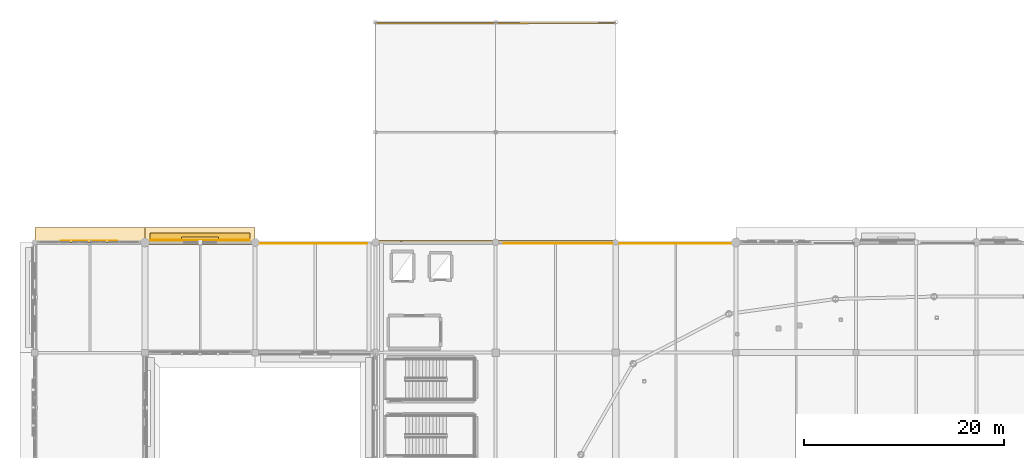
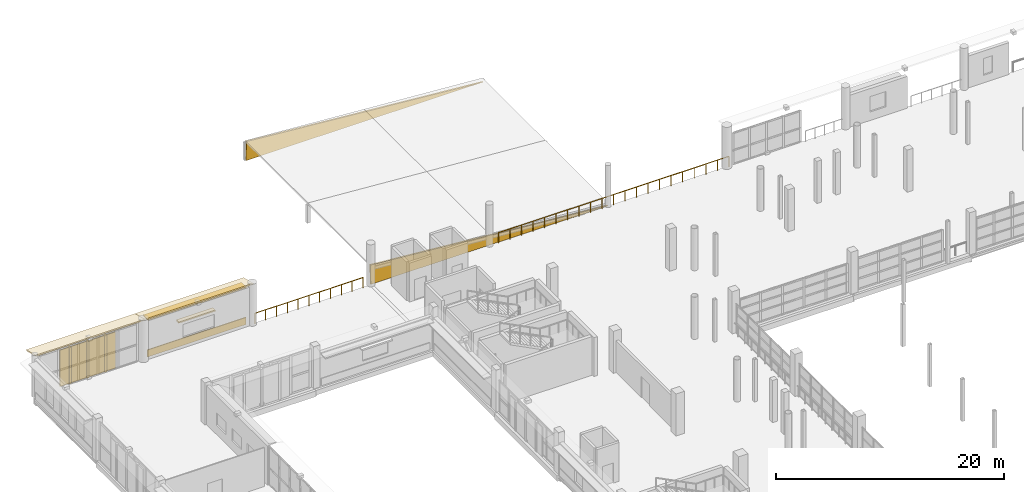
# One storey, part 106 of 118: 9 coverings, 2 railings, 2 shading devices.
"""IFC4 building model written with IfcOpenShell, lengths in metres."""

from ifc_helpers import new_model, si_unit, direction, frame, origin, origin_2d, place, context, subcontext, project, spatial, polyline, rectangle, circle, outline, extrude, material, layer, layer_set, type_object, element, save


model = new_model("IFC4")

# Units and contexts
model_context = context("Model", 3, precision=1e-05, world=origin(), true_north=direction((0.0, 1.0)))
body_context = subcontext(model_context, "Body", "Model", "MODEL_VIEW")
ifc_project = project(units=[si_unit("LENGTHUNIT", "METRE"), si_unit("AREAUNIT", "SQUARE_METRE"), si_unit("VOLUMEUNIT", "CUBIC_METRE"), si_unit("PLANEANGLEUNIT", "RADIAN"), si_unit("MASSUNIT", "GRAM", prefix="KILO")], contexts=[model_context])

# Site, building, storey
site_placement = place(None, origin())
site = spatial("IfcSite", under=ifc_project, at=site_placement, CompositionType="ELEMENT")
building_placement = place(site_placement, origin())
building = spatial("IfcBuilding", under=site, at=building_placement, Name="Luwafu Chhajja Arena", CompositionType="ELEMENT")
storey_placement = place(building_placement, frame((0.0, 0.0, 10.199951171875)))
storey = spatial("IfcBuildingStorey", under=building, at=storey_placement, Name="L02", CompositionType="ELEMENT", Elevation=10.199951171875)

# Coverings
ifc_material_1 = material(Name="Red laterite sandstone cladding", Category="masonry")
ifc_layer_1 = layer(ifc_material_1, 0.074951171875, Name="Red laterite sandstone cladding")
ifc_layer_set_1 = layer_set([ifc_layer_1], Name="Red laterite sandstone cladding")
covering_type = type_object("IfcCoveringType", Name="Dressed Red-Laterite Sandstone Cladding", PredefinedType="CLADDING", material=ifc_layer_set_1)
covering_1_placement = place(storey_placement, frame((34.0, 99.0, 0.0), z_axis=(0.0, -0.99980932877, 0.019527060845), x_axis=(1.0, 0.0, 0.0)))
element("IfcCovering", 1, at=covering_1_placement, inside=storey, type_object=covering_type, Name="L02 Charbagh W Cloister S Tympanum", PredefinedType="CLADDING", context=body_context, shape_type="SweptSolid", body=[
    extrude(outline(polyline([(0.0, 0.0), (24.0, 0.0), (0.0, 2.050439788002214), (0.0, 0.0)])), origin(), (0.0, 0.0, -1.0), 0.159912109375),
])
covering_2_placement = place(storey_placement, frame((34.0, 121.0, 0.0), z_axis=(0.0, 0.99980932877, 0.019527060845), x_axis=(1.0, 0.0, 0.0)))
element("IfcCovering", 2, at=covering_2_placement, inside=storey, type_object=covering_type, Name="L02 Charbagh W Cloister N Tympanum", PredefinedType="CLADDING", context=body_context, shape_type="SweptSolid", body=[
    extrude(outline(polyline([(0.0, 0.0), (24.0, 0.0), (0.0, -2.050439788002214), (0.0, 0.0)])), origin(), (0.0, 0.0, -1.0), 0.159912109375),
])
covering_3_placement = place(storey_placement, frame((0.0, 98.800048828125, 4.4599609375), z_axis=(0.0, 0.242502450825, 0.970150793096), x_axis=(1.0, 0.0, 0.0)))
element("IfcCovering", 3, at=covering_3_placement, inside=storey, type_object=covering_type, Name="L02 Continuous Sloped Sandstone Chhajja Eave 0136", PredefinedType="CLADDING", context=body_context, shape_type="SweptSolid", body=[
    extrude(outline(polyline([(0.0, 0.0), (11.0, 0.0), (11.0, 1.731619097341133), (0.0, 1.731619097341133), (0.0, 0.0)])), origin(), (0.0, 0.0, -1.0), 0.1298828125),
])
for number, where, z_axis, x_axis, name in (
    (4, (3.62060546875, 99.1298828125, 0.0), (0.0, 0.0, 1.0), (1.0, 0.0, 0.0), "L02 Sandstone Jali Mullion Fin 030"),
    (5, (5.41259765625, 99.1298828125, 0.0), (0.0, 0.0, 1.0), (1.0, 0.0, 0.0), "L02 Sandstone Jali Mullion Fin 030"),
    (6, (7.20458984375, 99.1298828125, 0.0), (0.0, 0.0, 1.0), (1.0, 0.0, 0.0), "L02 Sandstone Jali Mullion Fin 030"),
):
    element("IfcCovering", number, at=place(storey_placement, frame(where, z_axis=z_axis, x_axis=x_axis)), inside=storey, type_object=covering_type, Name=name, PredefinedType="CLADDING", context=body_context, shape_type="SweptSolid", body=[
        extrude(rectangle(XDim=0.219970703125, YDim=0.239990234375, at=origin_2d()), origin(), (0.0, 0.0, 1.0), 3.89501953125),
    ])
covering_4_placement = place(storey_placement, frame((11.0, 98.800048828125, 4.4599609375), z_axis=(0.0, 0.242502450825, 0.970150793096), x_axis=(1.0, 0.0, 0.0)))
element("IfcCovering", 7, at=covering_4_placement, inside=storey, type_object=covering_type, Name="L02 Continuous Sloped Sandstone Chhajja Eave 0143", PredefinedType="CLADDING", context=body_context, shape_type="SweptSolid", body=[
    extrude(outline(polyline([(0.0, 0.0), (11.0, 0.0), (11.0, 1.731619097341133), (0.0, 1.731619097341133), (0.0, 0.0)])), origin(), (0.0, 0.0, -1.0), 0.1298828125),
])
covering_5_placement = place(storey_placement, frame((16.5, 99.2119140625, 0.0), z_axis=(0.0, 0.0, 1.0), x_axis=(1.0, 0.0, 0.0)))
element("IfcCovering", 8, at=covering_5_placement, inside=storey, type_object=covering_type, Name="L02 Red-Laterite Sandstone Plinth Cladding 052", PredefinedType="CLADDING", context=body_context, shape_type="SweptSolid", body=[
    extrude(rectangle(XDim=9.9599609375, YDim=0.0849609375, at=origin_2d()), origin(), (0.0, 0.0, 1.0), 0.760009765625),
])
covering_6_placement = place(storey_placement, frame((16.5, 99.340087890625, 2.5302734375), z_axis=(0.0, 0.0, 1.0), x_axis=(1.0, 0.0, 0.0)))
element("IfcCovering", 9, at=covering_6_placement, inside=storey, type_object=covering_type, Name="L02 Mughal Sandstone Window Chhajja Hood 0051", PredefinedType="CLADDING", context=body_context, shape_type="SweptSolid", body=[
    extrude(rectangle(XDim=3.699951171875, YDim=0.419921875, at=origin_2d()), origin(), (0.0, 0.0, 1.0), 0.139892578125),
])

# Shading devices
ifc_material_2 = material(Name="Pierced buff sandstone jali", Category="masonry")
ifc_layer_2 = layer(ifc_material_2, 0.080078125, Name="Pierced buff sandstone jali")
ifc_layer_set_2 = layer_set([ifc_layer_2], Name="Pierced buff sandstone jali")
shading_device_type_1 = type_object("IfcShadingDeviceType", Name="Pierced Buff-Sandstone Jali Screen", PredefinedType="JALOUSIE", material=ifc_layer_set_2)
shading_device_1_placement = place(storey_placement, frame((5.41259765625, 99.1298828125, 0.0), z_axis=(0.0, 0.0, 1.0), x_axis=(1.0, 0.0, 0.0)))
element("IfcShadingDevice", 10, at=shading_device_1_placement, inside=storey, type_object=shading_device_type_1, Name="L02 Pierced Buff-Sandstone Jali Screen 030", PredefinedType="JALOUSIE", context=body_context, shape_type="SweptSolid", body=[
    extrude(rectangle(XDim=5.60009765625, YDim=0.080078125, at=origin_2d()), origin(), (0.0, 0.0, 1.0), 3.89501953125),
])
ifc_material_3 = material(Name="Red laterite sandstone chhajja", Category="masonry")
ifc_layer_3 = layer(ifc_material_3, 0.1201171875, Name="Red laterite sandstone chhajja")
ifc_layer_set_3 = layer_set([ifc_layer_3], Name="Red laterite sandstone chhajja")
shading_device_type_2 = type_object("IfcShadingDeviceType", Name="Sloped Red-Sandstone Chhajja Eave", PredefinedType="USERDEFINED", material=ifc_layer_set_3)
shading_device_2_placement = place(storey_placement, frame((16.5, 99.5400390625, 3.925048828125), z_axis=(0.0, 0.0, 1.0), x_axis=(1.0, 0.0, 0.0)))
element("IfcShadingDevice", 11, at=shading_device_2_placement, inside=storey, type_object=shading_device_type_2, Name="L02 Sloped Red-Sandstone Chhajja Eave 049", ObjectType="CHHAJJA", PredefinedType="USERDEFINED", context=body_context, shape_type="SweptSolid", body=[
    extrude(rectangle(XDim=9.9599609375, YDim=0.820068359375, at=origin_2d()), origin(), (0.0, 0.0, 1.0), 0.1201171875),
])

# Railings
ifc_material_4 = material(Name="Stainless steel balustrade", Category="steel")
railing_type = type_object("IfcRailingType", Name="Stair and Terrace Guard Balustrade 1100", PredefinedType="BALUSTRADE", material=ifc_material_4)
railing_1_placement = place(storey_placement, frame((46.85009765625, 98.89990234375, 0.0)))
element("IfcRailing", 12, at=railing_1_placement, inside=storey, type_object=railing_type, Name="L02 Outer Slab Edge Guard 002", PredefinedType="BALUSTRADE", context=body_context, shape_type="SweptSolid", body=[
    extrude(circle(Radius=0.02392578125, at=origin_2d()), frame((0.0, 0.0, 1.09619140625), z_axis=(1.0, 0.0, 0.0), x_axis=(0.0, 1.0, 0.0)), (0.0, 0.0, 1.0), 23.302001953125),
    extrude(circle(Radius=0.02099609375, at=origin_2d()), origin(), (0.0, 0.0, 1.0), 1.072021484375),
    extrude(circle(Radius=0.02099609375, at=origin_2d()), frame((1.1650390625, 0.0, 0.0)), (0.0, 0.0, 1.0), 1.072021484375),
    extrude(circle(Radius=0.02099609375, at=origin_2d()), frame((2.330078125, 0.0, 0.0)), (0.0, 0.0, 1.0), 1.072021484375),
    extrude(circle(Radius=0.02099609375, at=origin_2d()), frame((3.495361328125, 0.0, 0.0)), (0.0, 0.0, 1.0), 1.072021484375),
    extrude(circle(Radius=0.02099609375, at=origin_2d()), frame((4.660400390625, 0.0, 0.0)), (0.0, 0.0, 1.0), 1.072021484375),
    extrude(circle(Radius=0.02099609375, at=origin_2d()), frame((5.825439453125, 0.0, 0.0)), (0.0, 0.0, 1.0), 1.072021484375),
    extrude(circle(Radius=0.02099609375, at=origin_2d()), frame((6.99072265625, 0.0, 0.0)), (0.0, 0.0, 1.0), 1.072021484375),
    extrude(circle(Radius=0.02099609375, at=origin_2d()), frame((8.15576171875, 0.0, 0.0)), (0.0, 0.0, 1.0), 1.072021484375),
    extrude(circle(Radius=0.02099609375, at=origin_2d()), frame((9.32080078125, 0.0, 0.0)), (0.0, 0.0, 1.0), 1.072021484375),
    extrude(circle(Radius=0.02099609375, at=origin_2d()), frame((10.48583984375, 0.0, 0.0)), (0.0, 0.0, 1.0), 1.072021484375),
    extrude(circle(Radius=0.02099609375, at=origin_2d()), frame((11.65087890625, 0.0, 0.0)), (0.0, 0.0, 1.0), 1.072021484375),
    extrude(circle(Radius=0.02099609375, at=origin_2d()), frame((12.816162109375, 0.0, 0.0)), (0.0, 0.0, 1.0), 1.072021484375),
    extrude(circle(Radius=0.02099609375, at=origin_2d()), frame((13.981201171875, 0.0, 0.0)), (0.0, 0.0, 1.0), 1.072021484375),
    extrude(circle(Radius=0.02099609375, at=origin_2d()), frame((15.146240234375, 0.0, 0.0)), (0.0, 0.0, 1.0), 1.072021484375),
    extrude(circle(Radius=0.02099609375, at=origin_2d()), frame((16.3115234375, 0.0, 0.0)), (0.0, 0.0, 1.0), 1.072021484375),
    extrude(circle(Radius=0.02099609375, at=origin_2d()), frame((17.4765625, 0.0, 0.0)), (0.0, 0.0, 1.0), 1.072021484375),
    extrude(circle(Radius=0.02099609375, at=origin_2d()), frame((18.6416015625, 0.0, 0.0)), (0.0, 0.0, 1.0), 1.072021484375),
    extrude(circle(Radius=0.02099609375, at=origin_2d()), frame((19.806640625, 0.0, 0.0)), (0.0, 0.0, 1.0), 1.072021484375),
    extrude(circle(Radius=0.02099609375, at=origin_2d()), frame((20.9716796875, 0.0, 0.0)), (0.0, 0.0, 1.0), 1.072021484375),
    extrude(circle(Radius=0.02099609375, at=origin_2d()), frame((22.136962890625, 0.0, 0.0)), (0.0, 0.0, 1.0), 1.072021484375),
    extrude(circle(Radius=0.02099609375, at=origin_2d()), frame((23.302001953125, 0.0, 0.0)), (0.0, 0.0, 1.0), 1.072021484375),
])
railing_2_placement = place(storey_placement, frame((22.218017578125, 98.89990234375, 0.0)))
element("IfcRailing", 13, at=railing_2_placement, inside=storey, type_object=railing_type, Name="L02 Outer Slab Edge Guard 011", PredefinedType="BALUSTRADE", context=body_context, shape_type="SweptSolid", body=[
    extrude(circle(Radius=0.02392578125, at=origin_2d()), frame((0.0, 0.0, 1.09619140625), z_axis=(1.0, 0.0, 0.0), x_axis=(0.0, 1.0, 0.0)), (0.0, 0.0, 1.0), 10.931884765625),
    extrude(circle(Radius=0.02099609375, at=origin_2d()), origin(), (0.0, 0.0, 1.0), 1.072021484375),
    extrude(circle(Radius=0.02099609375, at=origin_2d()), frame((1.09326171875, 0.0, 0.0)), (0.0, 0.0, 1.0), 1.072021484375),
    extrude(circle(Radius=0.02099609375, at=origin_2d()), frame((2.186279296875, 0.0, 0.0)), (0.0, 0.0, 1.0), 1.072021484375),
    extrude(circle(Radius=0.02099609375, at=origin_2d()), frame((3.279541015625, 0.0, 0.0)), (0.0, 0.0, 1.0), 1.072021484375),
    extrude(circle(Radius=0.02099609375, at=origin_2d()), frame((4.372802734375, 0.0, 0.0)), (0.0, 0.0, 1.0), 1.072021484375),
    extrude(circle(Radius=0.02099609375, at=origin_2d()), frame((5.4658203125, 0.0, 0.0)), (0.0, 0.0, 1.0), 1.072021484375),
    extrude(circle(Radius=0.02099609375, at=origin_2d()), frame((6.55908203125, 0.0, 0.0)), (0.0, 0.0, 1.0), 1.072021484375),
    extrude(circle(Radius=0.02099609375, at=origin_2d()), frame((7.65234375, 0.0, 0.0)), (0.0, 0.0, 1.0), 1.072021484375),
    extrude(circle(Radius=0.02099609375, at=origin_2d()), frame((8.74560546875, 0.0, 0.0)), (0.0, 0.0, 1.0), 1.072021484375),
    extrude(circle(Radius=0.02099609375, at=origin_2d()), frame((9.838623046875, 0.0, 0.0)), (0.0, 0.0, 1.0), 1.072021484375),
    extrude(circle(Radius=0.02099609375, at=origin_2d()), frame((10.931884765625, 0.0, 0.0)), (0.0, 0.0, 1.0), 1.072021484375),
])

save(model, "model.ifc")
